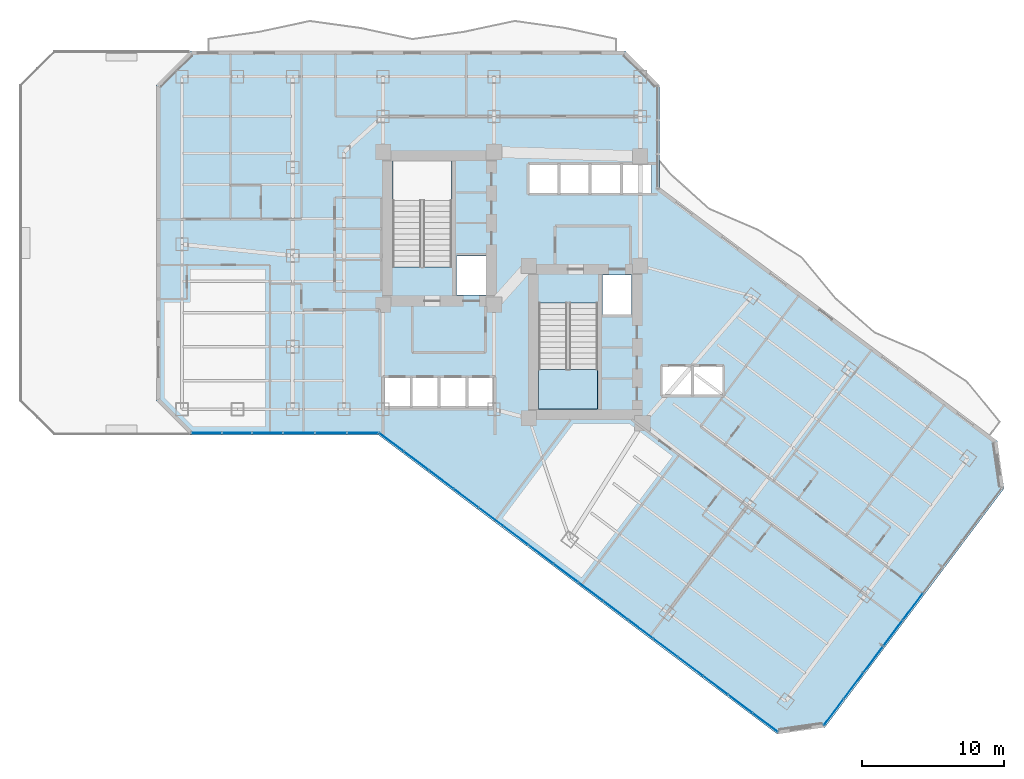
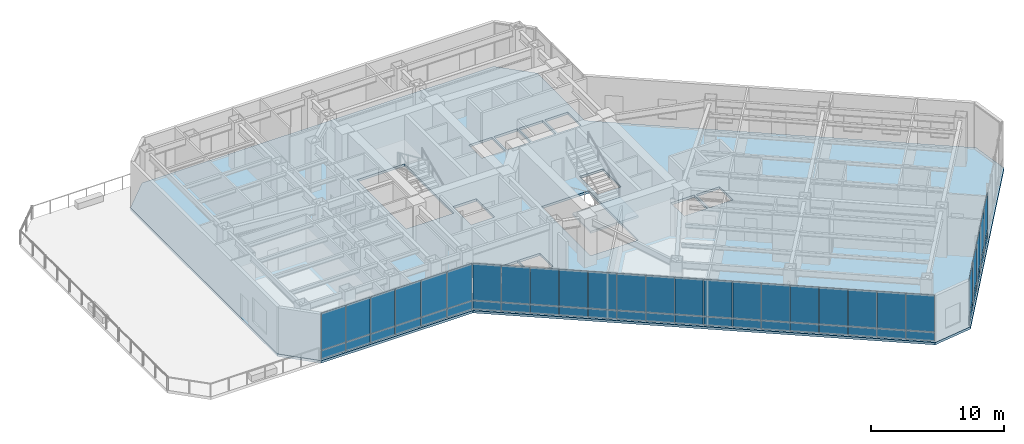
# One storey, part 14 of 27: 54 plates, 2 slabs, 5 elements without a shape of their own.
"""IFC4 building model written with IfcOpenShell, lengths in metres."""

from ifc_helpers import new_model, si_unit, direction, frame, origin, origin_2d, place, context, subcontext, project, spatial, polyline, rectangle, outline, extrude, material, layer, layer_set, type_object, element, aggregate, save


model = new_model("IFC4")

# Units and contexts
model_context = context("Model", 3, precision=1e-05, world=origin(), true_north=direction((0.0, 1.0)))
body_context = subcontext(model_context, "Body", "Model", "MODEL_VIEW")
ifc_project = project(units=[si_unit("LENGTHUNIT", "METRE"), si_unit("AREAUNIT", "SQUARE_METRE"), si_unit("VOLUMEUNIT", "CUBIC_METRE"), si_unit("PLANEANGLEUNIT", "RADIAN"), si_unit("MASSUNIT", "GRAM", prefix="KILO")], contexts=[model_context])

# Site, building, storey
site_placement = place(None, origin())
site = spatial("IfcSite", under=ifc_project, at=site_placement, CompositionType="ELEMENT")
building_placement = place(site_placement, origin())
building = spatial("IfcBuilding", under=site, at=building_placement, Name="Hatsunagi Terrace Concourse", CompositionType="ELEMENT")
storey_placement = place(building_placement, frame((0.0, 0.0, 70.10009765625)))
storey = spatial("IfcBuildingStorey", under=building, at=storey_placement, Name="L18", CompositionType="ELEMENT", Elevation=70.10009765625)

# Curtain wall, plates
ifc_material_1 = material(Name="Anodised Aluminium Alloy 6063-T5", Category="aluminium")
ifc_layer_1 = layer(ifc_material_1, 0.199951171875)
ifc_layer_set_1 = layer_set([ifc_layer_1], Name="SkyLobbyAtrium_CW05")
curtain_wall_type = type_object("IfcCurtainWallType", Name="SkyLobbyAtrium_CW05", PredefinedType="NOTDEFINED", material=ifc_layer_set_1)
curtain_wall_1_placement = place(storey_placement, origin())
curtain_wall_1 = element("IfcCurtainWall", 1, at=curtain_wall_1_placement, inside=storey, type_object=curtain_wall_type, Name="Unitised Curtain Wall CW-05 CW-L18-03", PredefinedType="NOTDEFINED")
ifc_material_2 = material(Name="Warm Terracotta Ceramic Spandrel Panel", Category="masonry")
ifc_layer_2 = layer(ifc_material_2, 0.031982421875)
ifc_layer_set_2 = layer_set([ifc_layer_2], Name="CurtainWallSpandrelPanel_32")
plate_type_1 = type_object("IfcPlateType", Name="CurtainWallSpandrelPanel_32", PredefinedType="SHEET", material=ifc_layer_set_2)
plate_1_placement = place(storey_placement, frame((62.827880859375, 11.303955078125, 0.02978515625), z_axis=(0.0, 0.0, 1.0), x_axis=(-0.599969314634, -0.800023013105, 0.0)))
plate_1 = element("IfcPlate", 2, at=plate_1_placement, type_object=plate_type_1, Name="Terracotta Spandrel Panel SPN-01", PredefinedType="SHEET", context=body_context, shape_type="SweptSolid", body=[
    extrude(rectangle(XDim=2.264892578125, YDim=0.031982421875, at=origin_2d()), origin(), (0.0, 0.0, 1.0), 0.7900390625),
])
plate_2_placement = place(storey_placement, frame((61.43603515625, 9.447998046875, 0.02978515625), z_axis=(0.0, 0.0, 1.0), x_axis=(-0.599969314634, -0.800023013105, 0.0)))
plate_2 = element("IfcPlate", 3, at=plate_2_placement, type_object=plate_type_1, Name="Terracotta Spandrel Panel SPN-01", PredefinedType="SHEET", context=body_context, shape_type="SweptSolid", body=[
    extrude(rectangle(XDim=2.264892578125, YDim=0.031982421875, at=origin_2d()), origin(), (0.0, 0.0, 1.0), 0.7900390625),
])
plate_3_placement = place(storey_placement, frame((60.0439453125, 7.591064453125, 0.02978515625), z_axis=(0.0, 0.0, 1.0), x_axis=(-0.599969314634, -0.800023013105, 0.0)))
plate_3 = element("IfcPlate", 4, at=plate_3_placement, type_object=plate_type_1, Name="Terracotta Spandrel Panel SPN-01", PredefinedType="SHEET", context=body_context, shape_type="SweptSolid", body=[
    extrude(rectangle(XDim=2.264892578125, YDim=0.031982421875, at=origin_2d()), origin(), (0.0, 0.0, 1.0), 0.7900390625),
])
plate_4_placement = place(storey_placement, frame((58.65087890625, 5.735107421875, 0.02978515625), z_axis=(0.0, 0.0, 1.0), x_axis=(-0.599969314634, -0.800023013105, 0.0)))
plate_4 = element("IfcPlate", 5, at=plate_4_placement, type_object=plate_type_1, Name="Terracotta Spandrel Panel SPN-01", PredefinedType="SHEET", context=body_context, shape_type="SweptSolid", body=[
    extrude(rectangle(XDim=2.264892578125, YDim=0.031982421875, at=origin_2d()), origin(), (0.0, 0.0, 1.0), 0.7900390625),
])
plate_5_placement = place(storey_placement, frame((57.259033203125, 3.8779296875, 0.02978515625), z_axis=(0.0, 0.0, 1.0), x_axis=(-0.599969314634, -0.800023013105, 0.0)))
plate_5 = element("IfcPlate", 6, at=plate_5_placement, type_object=plate_type_1, Name="Terracotta Spandrel Panel SPN-01", PredefinedType="SHEET", context=body_context, shape_type="SweptSolid", body=[
    extrude(rectangle(XDim=2.264892578125, YDim=0.031982421875, at=origin_2d()), origin(), (0.0, 0.0, 1.0), 0.7900390625),
])

curtain_wall_2_placement = place(storey_placement, origin())
curtain_wall_2 = element("IfcCurtainWall", 7, at=curtain_wall_2_placement, inside=storey, type_object=curtain_wall_type, Name="Unitised Curtain Wall CW-05 CW-L18-05", PredefinedType="NOTDEFINED")
plate_6_placement = place(storey_placement, frame((52.44091796875, 3.14501953125, 0.02978515625), z_axis=(0.0, 0.0, 1.0), x_axis=(-0.800003116929, 0.599995844072, 0.0)))
plate_6 = element("IfcPlate", 8, at=plate_6_placement, type_object=plate_type_1, Name="Terracotta Spandrel Panel SPN-01", PredefinedType="SHEET", context=body_context, shape_type="SweptSolid", body=[
    extrude(rectangle(XDim=2.137939453125, YDim=0.031982421875, at=origin_2d()), origin(), (0.0, 0.0, 1.0), 0.7900390625),
])
plate_7_placement = place(storey_placement, frame((50.68603515625, 4.4609375, 0.02978515625), z_axis=(0.0, 0.0, 1.0), x_axis=(-0.800003116929, 0.599995844072, 0.0)))
plate_7 = element("IfcPlate", 9, at=plate_7_placement, type_object=plate_type_1, Name="Terracotta Spandrel Panel SPN-01", PredefinedType="SHEET", context=body_context, shape_type="SweptSolid", body=[
    extrude(rectangle(XDim=2.137939453125, YDim=0.031982421875, at=origin_2d()), origin(), (0.0, 0.0, 1.0), 0.7900390625),
])
plate_8_placement = place(storey_placement, frame((48.931884765625, 5.777099609375, 0.02978515625), z_axis=(0.0, 0.0, 1.0), x_axis=(-0.800003116929, 0.599995844072, 0.0)))
plate_8 = element("IfcPlate", 10, at=plate_8_placement, type_object=plate_type_1, Name="Terracotta Spandrel Panel SPN-01", PredefinedType="SHEET", context=body_context, shape_type="SweptSolid", body=[
    extrude(rectangle(XDim=2.137939453125, YDim=0.031982421875, at=origin_2d()), origin(), (0.0, 0.0, 1.0), 0.7900390625),
])
plate_9_placement = place(storey_placement, frame((47.177001953125, 7.092041015625, 0.02978515625), z_axis=(0.0, 0.0, 1.0), x_axis=(-0.800003116929, 0.599995844072, 0.0)))
plate_9 = element("IfcPlate", 11, at=plate_9_placement, type_object=plate_type_1, Name="Terracotta Spandrel Panel SPN-01", PredefinedType="SHEET", context=body_context, shape_type="SweptSolid", body=[
    extrude(rectangle(XDim=2.137939453125, YDim=0.031982421875, at=origin_2d()), origin(), (0.0, 0.0, 1.0), 0.7900390625),
])
plate_10_placement = place(storey_placement, frame((45.423095703125, 8.407958984375, 0.02978515625), z_axis=(0.0, 0.0, 1.0), x_axis=(-0.800003116929, 0.599995844072, 0.0)))
plate_10 = element("IfcPlate", 12, at=plate_10_placement, type_object=plate_type_1, Name="Terracotta Spandrel Panel SPN-01", PredefinedType="SHEET", context=body_context, shape_type="SweptSolid", body=[
    extrude(rectangle(XDim=2.137939453125, YDim=0.031982421875, at=origin_2d()), origin(), (0.0, 0.0, 1.0), 0.7900390625),
])
plate_11_placement = place(storey_placement, frame((43.6689453125, 9.72412109375, 0.02978515625), z_axis=(0.0, 0.0, 1.0), x_axis=(-0.800003116929, 0.599995844072, 0.0)))
plate_11 = element("IfcPlate", 13, at=plate_11_placement, type_object=plate_type_1, Name="Terracotta Spandrel Panel SPN-01", PredefinedType="SHEET", context=body_context, shape_type="SweptSolid", body=[
    extrude(rectangle(XDim=2.137939453125, YDim=0.031982421875, at=origin_2d()), origin(), (0.0, 0.0, 1.0), 0.7900390625),
])
plate_12_placement = place(storey_placement, frame((41.9140625, 11.0400390625, 0.02978515625), z_axis=(0.0, 0.0, 1.0), x_axis=(-0.800003116929, 0.599995844072, 0.0)))
plate_12 = element("IfcPlate", 14, at=plate_12_placement, type_object=plate_type_1, Name="Terracotta Spandrel Panel SPN-01", PredefinedType="SHEET", context=body_context, shape_type="SweptSolid", body=[
    extrude(rectangle(XDim=2.137939453125, YDim=0.031982421875, at=origin_2d()), origin(), (0.0, 0.0, 1.0), 0.7900390625),
])
plate_13_placement = place(storey_placement, frame((40.159912109375, 12.35595703125, 0.02978515625), z_axis=(0.0, 0.0, 1.0), x_axis=(-0.800003116929, 0.599995844072, 0.0)))
plate_13 = element("IfcPlate", 15, at=plate_13_placement, type_object=plate_type_1, Name="Terracotta Spandrel Panel SPN-01", PredefinedType="SHEET", context=body_context, shape_type="SweptSolid", body=[
    extrude(rectangle(XDim=2.137939453125, YDim=0.031982421875, at=origin_2d()), origin(), (0.0, 0.0, 1.0), 0.7900390625),
])
plate_14_placement = place(storey_placement, frame((38.405029296875, 13.6708984375, 0.02978515625), z_axis=(0.0, 0.0, 1.0), x_axis=(-0.800003116929, 0.599995844072, 0.0)))
plate_14 = element("IfcPlate", 16, at=plate_14_placement, type_object=plate_type_1, Name="Terracotta Spandrel Panel SPN-01", PredefinedType="SHEET", context=body_context, shape_type="SweptSolid", body=[
    extrude(rectangle(XDim=2.137939453125, YDim=0.031982421875, at=origin_2d()), origin(), (0.0, 0.0, 1.0), 0.7900390625),
])
plate_15_placement = place(storey_placement, frame((36.65087890625, 14.987060546875, 0.02978515625), z_axis=(0.0, 0.0, 1.0), x_axis=(-0.800003116929, 0.599995844072, 0.0)))
plate_15 = element("IfcPlate", 17, at=plate_15_placement, type_object=plate_type_1, Name="Terracotta Spandrel Panel SPN-01", PredefinedType="SHEET", context=body_context, shape_type="SweptSolid", body=[
    extrude(rectangle(XDim=2.137939453125, YDim=0.031982421875, at=origin_2d()), origin(), (0.0, 0.0, 1.0), 0.7900390625),
])
plate_16_placement = place(storey_placement, frame((34.89599609375, 16.302978515625, 0.02978515625), z_axis=(0.0, 0.0, 1.0), x_axis=(-0.800003116929, 0.599995844072, 0.0)))
plate_16 = element("IfcPlate", 18, at=plate_16_placement, type_object=plate_type_1, Name="Terracotta Spandrel Panel SPN-01", PredefinedType="SHEET", context=body_context, shape_type="SweptSolid", body=[
    extrude(rectangle(XDim=2.137939453125, YDim=0.031982421875, at=origin_2d()), origin(), (0.0, 0.0, 1.0), 0.7900390625),
])
plate_17_placement = place(storey_placement, frame((33.14208984375, 17.618896484375, 0.02978515625), z_axis=(0.0, 0.0, 1.0), x_axis=(-0.800003116929, 0.599995844072, 0.0)))
plate_17 = element("IfcPlate", 19, at=plate_17_placement, type_object=plate_type_1, Name="Terracotta Spandrel Panel SPN-01", PredefinedType="SHEET", context=body_context, shape_type="SweptSolid", body=[
    extrude(rectangle(XDim=2.137939453125, YDim=0.031982421875, at=origin_2d()), origin(), (0.0, 0.0, 1.0), 0.7900390625),
])
plate_18_placement = place(storey_placement, frame((31.387939453125, 18.93505859375, 0.02978515625), z_axis=(0.0, 0.0, 1.0), x_axis=(-0.800003116929, 0.599995844072, 0.0)))
plate_18 = element("IfcPlate", 20, at=plate_18_placement, type_object=plate_type_1, Name="Terracotta Spandrel Panel SPN-01", PredefinedType="SHEET", context=body_context, shape_type="SweptSolid", body=[
    extrude(rectangle(XDim=2.137939453125, YDim=0.031982421875, at=origin_2d()), origin(), (0.0, 0.0, 1.0), 0.7900390625),
])
plate_19_placement = place(storey_placement, frame((29.633056640625, 20.25, 0.02978515625), z_axis=(0.0, 0.0, 1.0), x_axis=(-0.800003116929, 0.599995844072, 0.0)))
plate_19 = element("IfcPlate", 21, at=plate_19_placement, type_object=plate_type_1, Name="Terracotta Spandrel Panel SPN-01", PredefinedType="SHEET", context=body_context, shape_type="SweptSolid", body=[
    extrude(rectangle(XDim=2.137939453125, YDim=0.031982421875, at=origin_2d()), origin(), (0.0, 0.0, 1.0), 0.7900390625),
])
plate_20_placement = place(storey_placement, frame((27.87890625, 21.56591796875, 0.02978515625), z_axis=(0.0, 0.0, 1.0), x_axis=(-0.800003116929, 0.599995844072, 0.0)))
plate_20 = element("IfcPlate", 22, at=plate_20_placement, type_object=plate_type_1, Name="Terracotta Spandrel Panel SPN-01", PredefinedType="SHEET", context=body_context, shape_type="SweptSolid", body=[
    extrude(rectangle(XDim=2.137939453125, YDim=0.031982421875, at=origin_2d()), origin(), (0.0, 0.0, 1.0), 0.7900390625),
])
plate_21_placement = place(storey_placement, frame((26.1240234375, 22.882080078125, 0.02978515625), z_axis=(0.0, 0.0, 1.0), x_axis=(-0.800003116929, 0.599995844072, 0.0)))
plate_21 = element("IfcPlate", 23, at=plate_21_placement, type_object=plate_type_1, Name="Terracotta Spandrel Panel SPN-01", PredefinedType="SHEET", context=body_context, shape_type="SweptSolid", body=[
    extrude(rectangle(XDim=2.137939453125, YDim=0.031982421875, at=origin_2d()), origin(), (0.0, 0.0, 1.0), 0.7900390625),
])

curtain_wall_3_placement = place(storey_placement, origin())
curtain_wall_3 = element("IfcCurtainWall", 24, at=curtain_wall_3_placement, inside=storey, type_object=curtain_wall_type, Name="Unitised Curtain Wall CW-05 CW-L18-06", PredefinedType="NOTDEFINED")
plate_22_placement = place(storey_placement, frame((24.1220703125, 23.5400390625, 0.02978515625), z_axis=(0.0, 0.0, 1.0), x_axis=(-1.0, 0.0, 0.0)))
plate_22 = element("IfcPlate", 25, at=plate_22_placement, type_object=plate_type_1, Name="Terracotta Spandrel Panel SPN-01", PredefinedType="SHEET", context=body_context, shape_type="SweptSolid", body=[
    extrude(rectangle(XDim=2.194091796875, YDim=0.031982421875, at=origin_2d()), origin(), (0.0, 0.0, 1.0), 0.7900390625),
])
plate_23_placement = place(storey_placement, frame((21.873046875, 23.5400390625, 0.02978515625), z_axis=(0.0, 0.0, 1.0), x_axis=(-1.0, 0.0, 0.0)))
plate_23 = element("IfcPlate", 26, at=plate_23_placement, type_object=plate_type_1, Name="Terracotta Spandrel Panel SPN-01", PredefinedType="SHEET", context=body_context, shape_type="SweptSolid", body=[
    extrude(rectangle(XDim=2.194091796875, YDim=0.031982421875, at=origin_2d()), origin(), (0.0, 0.0, 1.0), 0.7900390625),
])
plate_24_placement = place(storey_placement, frame((19.6240234375, 23.5400390625, 0.02978515625), z_axis=(0.0, 0.0, 1.0), x_axis=(-1.0, 0.0, 0.0)))
plate_24 = element("IfcPlate", 27, at=plate_24_placement, type_object=plate_type_1, Name="Terracotta Spandrel Panel SPN-01", PredefinedType="SHEET", context=body_context, shape_type="SweptSolid", body=[
    extrude(rectangle(XDim=2.194091796875, YDim=0.031982421875, at=origin_2d()), origin(), (0.0, 0.0, 1.0), 0.7900390625),
])

curtain_wall_4_placement = place(storey_placement, origin())
curtain_wall_4 = element("IfcCurtainWall", 28, at=curtain_wall_4_placement, inside=storey, type_object=curtain_wall_type, Name="Unitised Curtain Wall CW-05 CW-L18-07", PredefinedType="NOTDEFINED")
plate_25_placement = place(storey_placement, frame((17.426025390625, 23.5400390625, 0.02978515625), z_axis=(0.0, 0.0, 1.0), x_axis=(-1.0, 0.0, 0.0)))
plate_25 = element("IfcPlate", 29, at=plate_25_placement, type_object=plate_type_1, Name="Terracotta Spandrel Panel SPN-01", PredefinedType="SHEET", context=body_context, shape_type="SweptSolid", body=[
    extrude(rectangle(XDim=2.092041015625, YDim=0.031982421875, at=origin_2d()), origin(), (0.0, 0.0, 1.0), 0.7900390625),
])
plate_26_placement = place(storey_placement, frame((15.279052734375, 23.5400390625, 0.02978515625), z_axis=(0.0, 0.0, 1.0), x_axis=(-1.0, 0.0, 0.0)))
plate_26 = element("IfcPlate", 30, at=plate_26_placement, type_object=plate_type_1, Name="Terracotta Spandrel Panel SPN-01", PredefinedType="SHEET", context=body_context, shape_type="SweptSolid", body=[
    extrude(rectangle(XDim=2.092041015625, YDim=0.031982421875, at=origin_2d()), origin(), (0.0, 0.0, 1.0), 0.7900390625),
])
plate_27_placement = place(storey_placement, frame((13.132080078125, 23.5400390625, 0.02978515625), z_axis=(0.0, 0.0, 1.0), x_axis=(-1.0, 0.0, 0.0)))
plate_27 = element("IfcPlate", 31, at=plate_27_placement, type_object=plate_type_1, Name="Terracotta Spandrel Panel SPN-01", PredefinedType="SHEET", context=body_context, shape_type="SweptSolid", body=[
    extrude(rectangle(XDim=2.092041015625, YDim=0.031982421875, at=origin_2d()), origin(), (0.0, 0.0, 1.0), 0.7900390625),
])

# Plate
ifc_material_3 = material(Name="Low-E Double Insulating Glass 28mm", Category="glass")
ifc_layer_3 = layer(ifc_material_3, 0.028076171875)
ifc_layer_set_3 = layer_set([ifc_layer_3], Name="CurtainWallVisionGlass_28")
plate_type_2 = type_object("IfcPlateType", Name="CurtainWallVisionGlass_28", PredefinedType="CURTAIN_PANEL", material=ifc_layer_set_3)
plate_28_placement = place(storey_placement, frame((62.827880859375, 11.303955078125, 0.8798828125), z_axis=(0.0, 0.0, 1.0), x_axis=(-0.599969314634, -0.800023013105, 0.0)))
plate_28 = element("IfcPlate", 32, at=plate_28_placement, type_object=plate_type_2, Name="Low-E Vision Glass Panel GLZ-01", PredefinedType="CURTAIN_PANEL", context=body_context, shape_type="SweptSolid", body=[
    extrude(rectangle(XDim=2.264892578125, YDim=0.028076171875, at=origin_2d()), origin(), (0.0, 0.0, 1.0), 3.3701171875),
])

plate_29_placement = place(storey_placement, frame((61.43603515625, 9.447998046875, 0.8798828125), z_axis=(0.0, 0.0, 1.0), x_axis=(-0.599969314634, -0.800023013105, 0.0)))
plate_29 = element("IfcPlate", 33, at=plate_29_placement, type_object=plate_type_2, Name="Low-E Vision Glass Panel GLZ-01", PredefinedType="CURTAIN_PANEL", context=body_context, shape_type="SweptSolid", body=[
    extrude(rectangle(XDim=2.264892578125, YDim=0.028076171875, at=origin_2d()), origin(), (0.0, 0.0, 1.0), 3.3701171875),
])

plate_30_placement = place(storey_placement, frame((60.0439453125, 7.591064453125, 0.8798828125), z_axis=(0.0, 0.0, 1.0), x_axis=(-0.599969314634, -0.800023013105, 0.0)))
plate_30 = element("IfcPlate", 34, at=plate_30_placement, type_object=plate_type_2, Name="Low-E Vision Glass Panel GLZ-01", PredefinedType="CURTAIN_PANEL", context=body_context, shape_type="SweptSolid", body=[
    extrude(rectangle(XDim=2.264892578125, YDim=0.028076171875, at=origin_2d()), origin(), (0.0, 0.0, 1.0), 3.3701171875),
])

plate_31_placement = place(storey_placement, frame((58.65087890625, 5.735107421875, 0.8798828125), z_axis=(0.0, 0.0, 1.0), x_axis=(-0.599969314634, -0.800023013105, 0.0)))
plate_31 = element("IfcPlate", 35, at=plate_31_placement, type_object=plate_type_2, Name="Low-E Vision Glass Panel GLZ-01", PredefinedType="CURTAIN_PANEL", context=body_context, shape_type="SweptSolid", body=[
    extrude(rectangle(XDim=2.264892578125, YDim=0.028076171875, at=origin_2d()), origin(), (0.0, 0.0, 1.0), 3.3701171875),
])

plate_32_placement = place(storey_placement, frame((57.259033203125, 3.8779296875, 0.8798828125), z_axis=(0.0, 0.0, 1.0), x_axis=(-0.599969314634, -0.800023013105, 0.0)))
plate_32 = element("IfcPlate", 36, at=plate_32_placement, type_object=plate_type_2, Name="Low-E Vision Glass Panel GLZ-01", PredefinedType="CURTAIN_PANEL", context=body_context, shape_type="SweptSolid", body=[
    extrude(rectangle(XDim=2.264892578125, YDim=0.028076171875, at=origin_2d()), origin(), (0.0, 0.0, 1.0), 3.3701171875),
])

aggregate(curtain_wall_1, [plate_1, plate_28, plate_2, plate_29, plate_3, plate_30, plate_4, plate_31, plate_5, plate_32])

plate_33_placement = place(storey_placement, frame((52.44091796875, 3.14501953125, 0.8798828125), z_axis=(0.0, 0.0, 1.0), x_axis=(-0.800003116929, 0.599995844072, 0.0)))
plate_33 = element("IfcPlate", 37, at=plate_33_placement, type_object=plate_type_2, Name="Low-E Vision Glass Panel GLZ-01", PredefinedType="CURTAIN_PANEL", context=body_context, shape_type="SweptSolid", body=[
    extrude(rectangle(XDim=2.137939453125, YDim=0.028076171875, at=origin_2d()), origin(), (0.0, 0.0, 1.0), 3.3701171875),
])

plate_34_placement = place(storey_placement, frame((50.68603515625, 4.4609375, 0.8798828125), z_axis=(0.0, 0.0, 1.0), x_axis=(-0.800003116929, 0.599995844072, 0.0)))
plate_34 = element("IfcPlate", 38, at=plate_34_placement, type_object=plate_type_2, Name="Low-E Vision Glass Panel GLZ-01", PredefinedType="CURTAIN_PANEL", context=body_context, shape_type="SweptSolid", body=[
    extrude(rectangle(XDim=2.137939453125, YDim=0.028076171875, at=origin_2d()), origin(), (0.0, 0.0, 1.0), 3.3701171875),
])

plate_35_placement = place(storey_placement, frame((48.931884765625, 5.777099609375, 0.8798828125), z_axis=(0.0, 0.0, 1.0), x_axis=(-0.800003116929, 0.599995844072, 0.0)))
plate_35 = element("IfcPlate", 39, at=plate_35_placement, type_object=plate_type_2, Name="Low-E Vision Glass Panel GLZ-01", PredefinedType="CURTAIN_PANEL", context=body_context, shape_type="SweptSolid", body=[
    extrude(rectangle(XDim=2.137939453125, YDim=0.028076171875, at=origin_2d()), origin(), (0.0, 0.0, 1.0), 3.3701171875),
])

plate_36_placement = place(storey_placement, frame((47.177001953125, 7.092041015625, 0.8798828125), z_axis=(0.0, 0.0, 1.0), x_axis=(-0.800003116929, 0.599995844072, 0.0)))
plate_36 = element("IfcPlate", 40, at=plate_36_placement, type_object=plate_type_2, Name="Low-E Vision Glass Panel GLZ-01", PredefinedType="CURTAIN_PANEL", context=body_context, shape_type="SweptSolid", body=[
    extrude(rectangle(XDim=2.137939453125, YDim=0.028076171875, at=origin_2d()), origin(), (0.0, 0.0, 1.0), 3.3701171875),
])

plate_37_placement = place(storey_placement, frame((45.423095703125, 8.407958984375, 0.8798828125), z_axis=(0.0, 0.0, 1.0), x_axis=(-0.800003116929, 0.599995844072, 0.0)))
plate_37 = element("IfcPlate", 41, at=plate_37_placement, type_object=plate_type_2, Name="Low-E Vision Glass Panel GLZ-01", PredefinedType="CURTAIN_PANEL", context=body_context, shape_type="SweptSolid", body=[
    extrude(rectangle(XDim=2.137939453125, YDim=0.028076171875, at=origin_2d()), origin(), (0.0, 0.0, 1.0), 3.3701171875),
])

plate_38_placement = place(storey_placement, frame((43.6689453125, 9.72412109375, 0.8798828125), z_axis=(0.0, 0.0, 1.0), x_axis=(-0.800003116929, 0.599995844072, 0.0)))
plate_38 = element("IfcPlate", 42, at=plate_38_placement, type_object=plate_type_2, Name="Low-E Vision Glass Panel GLZ-01", PredefinedType="CURTAIN_PANEL", context=body_context, shape_type="SweptSolid", body=[
    extrude(rectangle(XDim=2.137939453125, YDim=0.028076171875, at=origin_2d()), origin(), (0.0, 0.0, 1.0), 3.3701171875),
])

plate_39_placement = place(storey_placement, frame((41.9140625, 11.0400390625, 0.8798828125), z_axis=(0.0, 0.0, 1.0), x_axis=(-0.800003116929, 0.599995844072, 0.0)))
plate_39 = element("IfcPlate", 43, at=plate_39_placement, type_object=plate_type_2, Name="Low-E Vision Glass Panel GLZ-01", PredefinedType="CURTAIN_PANEL", context=body_context, shape_type="SweptSolid", body=[
    extrude(rectangle(XDim=2.137939453125, YDim=0.028076171875, at=origin_2d()), origin(), (0.0, 0.0, 1.0), 3.3701171875),
])

plate_40_placement = place(storey_placement, frame((40.159912109375, 12.35595703125, 0.8798828125), z_axis=(0.0, 0.0, 1.0), x_axis=(-0.800003116929, 0.599995844072, 0.0)))
plate_40 = element("IfcPlate", 44, at=plate_40_placement, type_object=plate_type_2, Name="Low-E Vision Glass Panel GLZ-01", PredefinedType="CURTAIN_PANEL", context=body_context, shape_type="SweptSolid", body=[
    extrude(rectangle(XDim=2.137939453125, YDim=0.028076171875, at=origin_2d()), origin(), (0.0, 0.0, 1.0), 3.3701171875),
])

plate_41_placement = place(storey_placement, frame((38.405029296875, 13.6708984375, 0.8798828125), z_axis=(0.0, 0.0, 1.0), x_axis=(-0.800003116929, 0.599995844072, 0.0)))
plate_41 = element("IfcPlate", 45, at=plate_41_placement, type_object=plate_type_2, Name="Low-E Vision Glass Panel GLZ-01", PredefinedType="CURTAIN_PANEL", context=body_context, shape_type="SweptSolid", body=[
    extrude(rectangle(XDim=2.137939453125, YDim=0.028076171875, at=origin_2d()), origin(), (0.0, 0.0, 1.0), 3.3701171875),
])

plate_42_placement = place(storey_placement, frame((36.65087890625, 14.987060546875, 0.8798828125), z_axis=(0.0, 0.0, 1.0), x_axis=(-0.800003116929, 0.599995844072, 0.0)))
plate_42 = element("IfcPlate", 46, at=plate_42_placement, type_object=plate_type_2, Name="Low-E Vision Glass Panel GLZ-01", PredefinedType="CURTAIN_PANEL", context=body_context, shape_type="SweptSolid", body=[
    extrude(rectangle(XDim=2.137939453125, YDim=0.028076171875, at=origin_2d()), origin(), (0.0, 0.0, 1.0), 3.3701171875),
])

plate_43_placement = place(storey_placement, frame((34.89599609375, 16.302978515625, 0.8798828125), z_axis=(0.0, 0.0, 1.0), x_axis=(-0.800003116929, 0.599995844072, 0.0)))
plate_43 = element("IfcPlate", 47, at=plate_43_placement, type_object=plate_type_2, Name="Low-E Vision Glass Panel GLZ-01", PredefinedType="CURTAIN_PANEL", context=body_context, shape_type="SweptSolid", body=[
    extrude(rectangle(XDim=2.137939453125, YDim=0.028076171875, at=origin_2d()), origin(), (0.0, 0.0, 1.0), 3.3701171875),
])

plate_44_placement = place(storey_placement, frame((33.14208984375, 17.618896484375, 0.8798828125), z_axis=(0.0, 0.0, 1.0), x_axis=(-0.800003116929, 0.599995844072, 0.0)))
plate_44 = element("IfcPlate", 48, at=plate_44_placement, type_object=plate_type_2, Name="Low-E Vision Glass Panel GLZ-01", PredefinedType="CURTAIN_PANEL", context=body_context, shape_type="SweptSolid", body=[
    extrude(rectangle(XDim=2.137939453125, YDim=0.028076171875, at=origin_2d()), origin(), (0.0, 0.0, 1.0), 3.3701171875),
])

plate_45_placement = place(storey_placement, frame((31.387939453125, 18.93505859375, 0.8798828125), z_axis=(0.0, 0.0, 1.0), x_axis=(-0.800003116929, 0.599995844072, 0.0)))
plate_45 = element("IfcPlate", 49, at=plate_45_placement, type_object=plate_type_2, Name="Low-E Vision Glass Panel GLZ-01", PredefinedType="CURTAIN_PANEL", context=body_context, shape_type="SweptSolid", body=[
    extrude(rectangle(XDim=2.137939453125, YDim=0.028076171875, at=origin_2d()), origin(), (0.0, 0.0, 1.0), 3.3701171875),
])

plate_46_placement = place(storey_placement, frame((29.633056640625, 20.25, 0.8798828125), z_axis=(0.0, 0.0, 1.0), x_axis=(-0.800003116929, 0.599995844072, 0.0)))
plate_46 = element("IfcPlate", 50, at=plate_46_placement, type_object=plate_type_2, Name="Low-E Vision Glass Panel GLZ-01", PredefinedType="CURTAIN_PANEL", context=body_context, shape_type="SweptSolid", body=[
    extrude(rectangle(XDim=2.137939453125, YDim=0.028076171875, at=origin_2d()), origin(), (0.0, 0.0, 1.0), 3.3701171875),
])

plate_47_placement = place(storey_placement, frame((27.87890625, 21.56591796875, 0.8798828125), z_axis=(0.0, 0.0, 1.0), x_axis=(-0.800003116929, 0.599995844072, 0.0)))
plate_47 = element("IfcPlate", 51, at=plate_47_placement, type_object=plate_type_2, Name="Low-E Vision Glass Panel GLZ-01", PredefinedType="CURTAIN_PANEL", context=body_context, shape_type="SweptSolid", body=[
    extrude(rectangle(XDim=2.137939453125, YDim=0.028076171875, at=origin_2d()), origin(), (0.0, 0.0, 1.0), 3.3701171875),
])

plate_48_placement = place(storey_placement, frame((26.1240234375, 22.882080078125, 0.8798828125), z_axis=(0.0, 0.0, 1.0), x_axis=(-0.800003116929, 0.599995844072, 0.0)))
plate_48 = element("IfcPlate", 52, at=plate_48_placement, type_object=plate_type_2, Name="Low-E Vision Glass Panel GLZ-01", PredefinedType="CURTAIN_PANEL", context=body_context, shape_type="SweptSolid", body=[
    extrude(rectangle(XDim=2.137939453125, YDim=0.028076171875, at=origin_2d()), origin(), (0.0, 0.0, 1.0), 3.3701171875),
])

aggregate(curtain_wall_2, [plate_6, plate_33, plate_7, plate_34, plate_8, plate_35, plate_9, plate_36, plate_10, plate_37, plate_11, plate_38, plate_12, plate_39, plate_13, plate_40, plate_14, plate_41, plate_15, plate_42, plate_16, plate_43, plate_17, plate_44, plate_18, plate_45, plate_19, plate_46, plate_20, plate_47, plate_21, plate_48])

plate_49_placement = place(storey_placement, frame((24.1220703125, 23.5400390625, 0.8798828125), z_axis=(0.0, 0.0, 1.0), x_axis=(-1.0, 0.0, 0.0)))
plate_49 = element("IfcPlate", 53, at=plate_49_placement, type_object=plate_type_2, Name="Low-E Vision Glass Panel GLZ-01", PredefinedType="CURTAIN_PANEL", context=body_context, shape_type="SweptSolid", body=[
    extrude(rectangle(XDim=2.194091796875, YDim=0.028076171875, at=origin_2d()), origin(), (0.0, 0.0, 1.0), 3.3701171875),
])

plate_50_placement = place(storey_placement, frame((21.873046875, 23.5400390625, 0.8798828125), z_axis=(0.0, 0.0, 1.0), x_axis=(-1.0, 0.0, 0.0)))
plate_50 = element("IfcPlate", 54, at=plate_50_placement, type_object=plate_type_2, Name="Low-E Vision Glass Panel GLZ-01", PredefinedType="CURTAIN_PANEL", context=body_context, shape_type="SweptSolid", body=[
    extrude(rectangle(XDim=2.194091796875, YDim=0.028076171875, at=origin_2d()), origin(), (0.0, 0.0, 1.0), 3.3701171875),
])

plate_51_placement = place(storey_placement, frame((19.6240234375, 23.5400390625, 0.8798828125), z_axis=(0.0, 0.0, 1.0), x_axis=(-1.0, 0.0, 0.0)))
plate_51 = element("IfcPlate", 55, at=plate_51_placement, type_object=plate_type_2, Name="Low-E Vision Glass Panel GLZ-01", PredefinedType="CURTAIN_PANEL", context=body_context, shape_type="SweptSolid", body=[
    extrude(rectangle(XDim=2.194091796875, YDim=0.028076171875, at=origin_2d()), origin(), (0.0, 0.0, 1.0), 3.3701171875),
])

aggregate(curtain_wall_3, [plate_22, plate_49, plate_23, plate_50, plate_24, plate_51])

plate_52_placement = place(storey_placement, frame((17.426025390625, 23.5400390625, 0.8798828125), z_axis=(0.0, 0.0, 1.0), x_axis=(-1.0, 0.0, 0.0)))
plate_52 = element("IfcPlate", 56, at=plate_52_placement, type_object=plate_type_2, Name="Low-E Vision Glass Panel GLZ-01", PredefinedType="CURTAIN_PANEL", context=body_context, shape_type="SweptSolid", body=[
    extrude(rectangle(XDim=2.092041015625, YDim=0.028076171875, at=origin_2d()), origin(), (0.0, 0.0, 1.0), 3.3701171875),
])

plate_53_placement = place(storey_placement, frame((15.279052734375, 23.5400390625, 0.8798828125), z_axis=(0.0, 0.0, 1.0), x_axis=(-1.0, 0.0, 0.0)))
plate_53 = element("IfcPlate", 57, at=plate_53_placement, type_object=plate_type_2, Name="Low-E Vision Glass Panel GLZ-01", PredefinedType="CURTAIN_PANEL", context=body_context, shape_type="SweptSolid", body=[
    extrude(rectangle(XDim=2.092041015625, YDim=0.028076171875, at=origin_2d()), origin(), (0.0, 0.0, 1.0), 3.3701171875),
])

plate_54_placement = place(storey_placement, frame((13.132080078125, 23.5400390625, 0.8798828125), z_axis=(0.0, 0.0, 1.0), x_axis=(-1.0, 0.0, 0.0)))
plate_54 = element("IfcPlate", 58, at=plate_54_placement, type_object=plate_type_2, Name="Low-E Vision Glass Panel GLZ-01", PredefinedType="CURTAIN_PANEL", context=body_context, shape_type="SweptSolid", body=[
    extrude(rectangle(XDim=2.092041015625, YDim=0.028076171875, at=origin_2d()), origin(), (0.0, 0.0, 1.0), 3.3701171875),
])

aggregate(curtain_wall_4, [plate_25, plate_52, plate_26, plate_53, plate_27, plate_54])

# Stair, slab
ifc_material_4 = material(Name="Concrete Fc42", Category="concrete")
stair_type = type_object("IfcStairType", Name="DoglegExitStair_Tower2000_26R_173", PredefinedType="HALF_TURN_STAIR", material=ifc_material_4)
stair_placement = place(storey_placement, origin())
stair = element("IfcStair", 59, at=stair_placement, inside=storey, type_object=stair_type, Name="L18 Core B Protected Exit Stair ST-B", PredefinedType="HALF_TURN_STAIR")
ifc_material_5 = material(Name="Concrete Fc42", Category="concrete")
ifc_layer_4 = layer(ifc_material_5, 0.199951171875)
ifc_layer_set_4 = layer_set([ifc_layer_4], Name="DoglegStairLanding_Tower2000")
slab_type_1 = type_object("IfcSlabType", Name="DoglegStairLanding_Tower2000", PredefinedType="LANDING", material=ifc_layer_set_4)
slab_1_placement = place(storey_placement, frame((0.0, 0.0, 2.0498046875)))
slab_1 = element("IfcSlab", 60, at=slab_1_placement, type_object=slab_type_1, Name="ST-B landing 1", PredefinedType="LANDING", context=body_context, shape_type="SweptSolid", body=[
    extrude(outline(polyline([(36.5, 27.97998046875), (36.5, 25.199951171875), (40.64990234375, 25.199951171875), (40.64990234375, 27.97998046875), (36.5, 27.97998046875)])), origin(), (0.0, 0.0, 1.0), 0.2001953125),
])
aggregate(stair, [slab_1])

# Slab
ifc_material_6 = material(Name="Concrete Fc42", Category="concrete")
ifc_layer_5 = layer(ifc_material_6, 0.219970703125)
ifc_layer_set_5 = layer_set([ifc_layer_5], Name="HotelFloorSlab_Fc42_220")
slab_type_2 = type_object("IfcSlabType", Name="HotelFloorSlab_Fc42_220", PredefinedType="FLOOR", material=ifc_layer_set_5)
slab_2_placement = place(storey_placement, frame((0.0, 0.0, -0.22021484375)))
element("IfcSlab", 61, at=slab_2_placement, inside=storey, type_object=slab_type_2, Name="Floor Slab SL-220 L18", PredefinedType="FLOOR", context=body_context, shape_type="SweptSolid", body=[
    extrude(outline(polyline([(45.0, 40.800048828125), (45.0, 48.0), (42.60009765625, 50.39990234375), (12.0, 50.39990234375), (9.60009765625, 48.0), (9.60009765625, 25.800048828125), (12.0, 23.39990234375), (25.199951171875, 23.39990234375), (53.280029296875, 2.340087890625), (56.639892578125, 2.820068359375), (69.239990234375, 19.6201171875), (68.760009765625, 22.97998046875), (45.0, 40.800048828125)]), holes=[polyline([(26.22998046875, 35.205078125), (30.3798828125, 35.205078125), (30.3798828125, 42.659912109375), (26.22998046875, 42.659912109375), (26.22998046875, 35.205078125)]), polyline([(36.5, 25.199951171875), (40.64990234375, 25.199951171875), (40.64990234375, 32.655029296875), (36.5, 32.655029296875), (36.5, 25.199951171875)]), polyline([(30.719970703125, 33.219970703125), (32.780029296875, 33.219970703125), (32.780029296875, 35.97998046875), (30.719970703125, 35.97998046875), (30.719970703125, 33.219970703125)]), polyline([(40.97998046875, 31.8798828125), (43.02001953125, 31.8798828125), (43.02001953125, 34.639892578125), (40.97998046875, 34.639892578125), (40.97998046875, 31.8798828125)]), polyline([(25.6201171875, 25.39990234375), (27.47998046875, 25.39990234375), (27.47998046875, 27.39990234375), (25.6201171875, 27.39990234375), (25.6201171875, 25.39990234375)]), polyline([(27.580078125, 25.39990234375), (29.43994140625, 25.39990234375), (29.43994140625, 27.39990234375), (27.580078125, 27.39990234375), (27.580078125, 25.39990234375)]), polyline([(29.5400390625, 25.39990234375), (31.39990234375, 25.39990234375), (31.39990234375, 27.39990234375), (29.5400390625, 27.39990234375), (29.5400390625, 25.39990234375)]), polyline([(31.5, 25.39990234375), (33.360107421875, 25.39990234375), (33.360107421875, 27.39990234375), (31.5, 27.39990234375), (31.5, 25.39990234375)]), polyline([(35.800048828125, 40.39990234375), (37.85009765625, 40.39990234375), (37.85009765625, 42.39990234375), (35.800048828125, 42.39990234375), (35.800048828125, 40.39990234375)]), polyline([(38.0, 40.39990234375), (40.050048828125, 40.39990234375), (40.050048828125, 42.39990234375), (38.0, 42.39990234375), (38.0, 40.39990234375)]), polyline([(40.199951171875, 40.39990234375), (42.25, 40.39990234375), (42.25, 42.39990234375), (40.199951171875, 42.39990234375), (40.199951171875, 40.39990234375)]), polyline([(42.39990234375, 40.39990234375), (44.449951171875, 40.39990234375), (44.449951171875, 42.39990234375), (42.39990234375, 42.39990234375), (42.39990234375, 40.39990234375)]), polyline([(45.199951171875, 26.199951171875), (47.25, 26.199951171875), (47.25, 28.199951171875), (45.199951171875, 28.199951171875), (45.199951171875, 26.199951171875)]), polyline([(47.39990234375, 26.199951171875), (49.449951171875, 26.199951171875), (49.449951171875, 28.199951171875), (47.39990234375, 28.199951171875), (47.39990234375, 26.199951171875)])]), origin(), (0.0, 0.0, 1.0), 0.22021484375),
])

save(model, "model.ifc")
